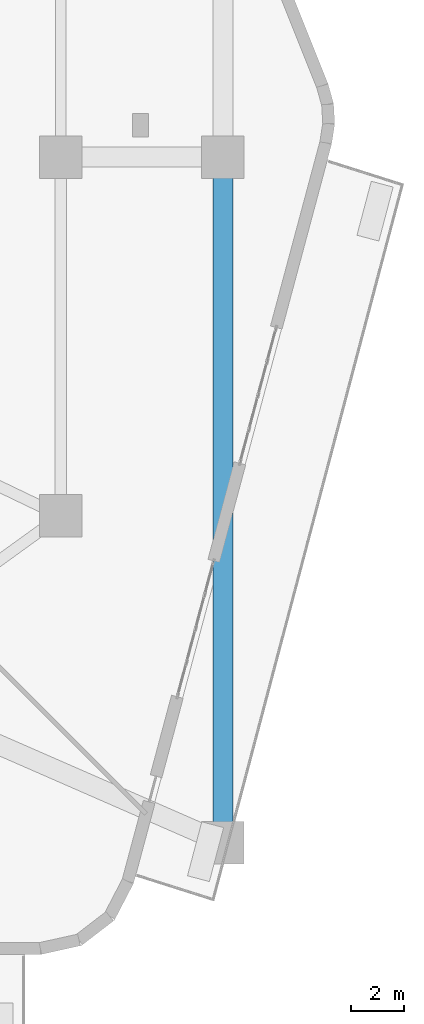
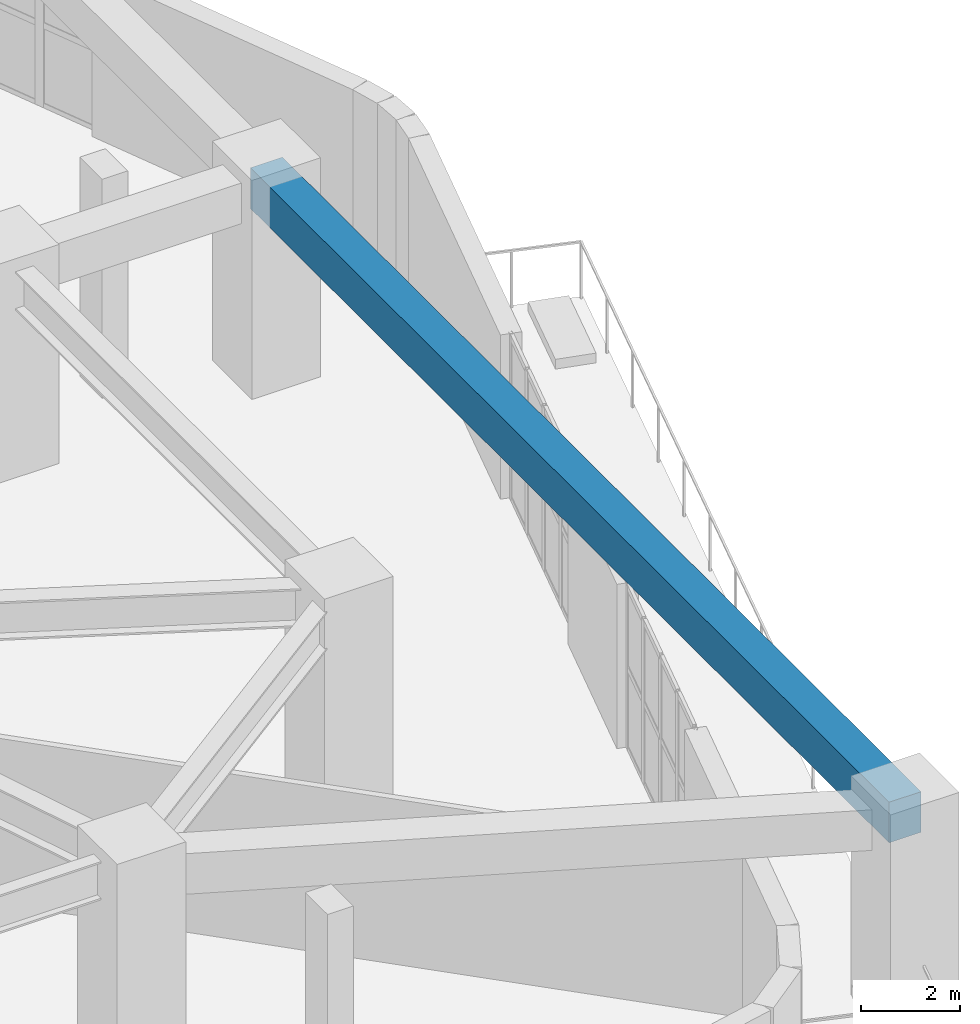
# One storey, part 11 of 34: 1 beam.
"""IFC4 building model written with IfcOpenShell, lengths in metres."""

import ifcopenshell
import ifcopenshell.guid

model = None  # the IFC model being written
_history = None  # IfcOwnerHistory: only IFC2X3 demands one
_inside = {}  # id of a spatial element -> (the spatial element, [elements in it])
_under = {}  # id of a project, library or spatial element -> (it, [spatial elements below it])
_declared = {}  # id of a project -> (the project, [libraries it declares])
_typed = {}  # id of a type object -> (the type object, [elements of that type])
_made_of = {}  # id of a material, layer set ... -> (it, [elements and type objects made of it])


def new_model(schema):
    """Start an empty IFC model of exactly this schema.

    Asked for "IFC4X3", IfcOpenShell would pick the latest addendum, in which some entities
    have other attributes; the version numbers below select the first issue.
    IFC2X3 requires an IfcOwnerHistory on every rooted entity: one is made here for all.
    """
    global model, _history
    if schema == "IFC4X3":
        model = ifcopenshell.file(schema_version=(4, 3, 0, 0))
    else:
        model = ifcopenshell.file(schema=schema)
    _inside.clear()
    _under.clear()
    _declared.clear()
    _typed.clear()
    _made_of.clear()
    _history = None
    if model.schema == "IFC2X3":
        org = make("IfcOrganization", Name="unknown")
        user = make(
            "IfcPersonAndOrganization",
            ThePerson=make("IfcPerson", FamilyName="unknown"),
            TheOrganization=org,
        )
        app = make(
            "IfcApplication",
            ApplicationDeveloper=org,
            Version="unknown",
            ApplicationFullName="unknown",
            ApplicationIdentifier="unknown",
        )
        _history = make(
            "IfcOwnerHistory",
            OwningUser=user,
            OwningApplication=app,
            ChangeAction="ADDED",
            CreationDate=0,
        )
    return model


def make(cls, **values):
    """One entity of the class cls with the attributes given. An attribute that is None is left unset."""
    return model.create_entity(
        cls, **{name: value for name, value in values.items() if value is not None}
    )


def rooted(cls, **values):
    """An entity with a GlobalId (a new one), such as an element, a storey or a relation."""
    return make(cls, GlobalId=ifcopenshell.guid.new(), OwnerHistory=_history, **values)


def si_unit(unit_type, name, prefix=None):
    """IfcSIUnit, for example si_unit("LENGTHUNIT", "METRE", prefix="MILLI")."""
    return make("IfcSIUnit", UnitType=unit_type, Prefix=prefix, Name=name)


def assignment(units):
    """IfcUnitAssignment: the units of a project."""
    return None if units is None else make("IfcUnitAssignment", Units=units)


def point(xyz):
    """IfcCartesianPoint."""
    return None if xyz is None else make("IfcCartesianPoint", Coordinates=xyz)


def direction(xyz):
    """IfcDirection."""
    return None if xyz is None else make("IfcDirection", DirectionRatios=xyz)


def frame(location, z_axis=None, x_axis=None):
    """IfcAxis2Placement3D, a coordinate frame: its origin and axes. An axis left out is left unset."""
    return make(
        "IfcAxis2Placement3D",
        Location=point(location),
        Axis=direction(z_axis),
        RefDirection=direction(x_axis),
    )


def frame_2d(location, x_axis=None):
    """IfcAxis2Placement2D, a coordinate frame in the plane: its origin and x axis."""
    return make(
        "IfcAxis2Placement2D", Location=point(location), RefDirection=direction(x_axis)
    )


def origin():
    """The frame at (0, 0, 0) with its axes left unset."""
    return frame((0.0, 0.0, 0.0))


def origin_2d():
    """The frame at (0, 0) in the plane with its x axis left unset."""
    return frame_2d((0.0, 0.0))


def place(relative_to, where):
    """IfcLocalPlacement: puts the frame where relative to a parent placement (None: the world)."""
    return make(
        "IfcLocalPlacement", PlacementRelTo=relative_to, RelativePlacement=where
    )


def context(
    kind, dimensions, precision=None, world=None, true_north=None, identifier=None
):
    """IfcGeometricRepresentationContext, for example the 3D "Model" context."""
    return make(
        "IfcGeometricRepresentationContext",
        ContextIdentifier=identifier,
        ContextType=kind,
        CoordinateSpaceDimension=dimensions,
        Precision=precision,
        WorldCoordinateSystem=world,
        TrueNorth=true_north,
    )


def subcontext(parent, identifier, kind, view, scale=None):
    """IfcGeometricRepresentationSubContext, for example "Body" below "Model"."""
    return make(
        "IfcGeometricRepresentationSubContext",
        ContextIdentifier=identifier,
        ContextType=kind,
        ParentContext=parent,
        TargetScale=scale,
        TargetView=view,
    )


def project(units=None, contexts=None):
    """IfcProject with its units and contexts."""
    return rooted(
        "IfcProject",
        Name="project",
        RepresentationContexts=contexts,
        UnitsInContext=assignment(units),
    )


def spatial(cls, under=None, at=None, **own):
    """A site, building, storey or space (cls), placed at a placement, below another one or the project."""
    s = rooted(cls, ObjectPlacement=at, **own)
    if under is not None:
        _under.setdefault(under.id(), (under, []))[1].append(s)
    return s


def profile(cls, at=None, kind="AREA", **sizes):
    """A parametric profile (cls). Its sizes go by their IFC names, for example OverallWidth=200.0."""
    return make(cls, ProfileType=kind, Position=at, **sizes)


def rectangle(**sizes):
    """IfcRectangleProfileDef."""
    return profile("IfcRectangleProfileDef", **sizes)


def extrude(swept, where, along, depth):
    """IfcExtrudedAreaSolid: the profile swept, set in the frame where, extruded along a direction by depth."""
    return make(
        "IfcExtrudedAreaSolid",
        SweptArea=swept,
        Position=where,
        ExtrudedDirection=direction(along),
        Depth=depth,
    )


def shape(context_of_items, identifier, shape_type, items):
    """IfcShapeRepresentation: the items that make up one representation, for example the "Body"."""
    return make(
        "IfcShapeRepresentation",
        ContextOfItems=context_of_items,
        RepresentationIdentifier=identifier,
        RepresentationType=shape_type,
        Items=items,
    )


def material(Name=None, Category=None):
    """IfcMaterial."""
    return make("IfcMaterial", Name=Name, Category=Category)


def material_profile(
    of_material, cross_section, Name=None, Category=None, Priority=None
):
    """IfcMaterialProfile: a cross section and its material."""
    return make(
        "IfcMaterialProfile",
        Name=Name,
        Material=of_material,
        Profile=cross_section,
        Priority=Priority,
        Category=Category,
    )


def profile_set(profiles, Name=None, composite=None):
    """IfcMaterialProfileSet."""
    return make(
        "IfcMaterialProfileSet",
        Name=Name,
        MaterialProfiles=profiles,
        CompositeProfile=composite,
    )


def made_of(thing, what):
    """Note that an element or type object is made of a material, layer set ...; save() writes the relation."""
    if what is not None:
        _made_of.setdefault(what.id(), (what, []))[1].append(thing)
    return thing


def type_object(cls, material=None, **own):
    """A type object (cls), such as IfcWallType, which elements share."""
    return made_of(rooted(cls, **own), material)


def element(
    cls,
    number,
    at=None,
    inside=None,
    cuts=None,
    type_object=None,
    material=None,
    context=None,
    identifier="Body",
    shape_type=None,
    held_by="IfcProductDefinitionShape",
    body=None,
    shapes=None,
    **own,
):
    """One element of the class cls, such as IfcWall. Its Tag is "e" and its number.

    at: its placement. inside: the storey or other place that contains it. cuts: it is an
    opening in that element (IfcRelVoidsElement). A single representation is given by context,
    identifier, shape_type and body (its items); several are given by shapes. held_by: the class
    of the entity that holds the representations. save() writes the other relations.
    """
    e = rooted(cls, Tag="e%d" % number, ObjectPlacement=at, **own)
    if body is not None:
        shapes = [shape(context, identifier, shape_type, body)]
    if shapes is not None:
        e.Representation = make(held_by, Representations=shapes)
    if inside is not None:
        _inside.setdefault(inside.id(), (inside, []))[1].append(e)
    if cuts is not None:
        rooted(
            "IfcRelVoidsElement", RelatingBuildingElement=cuts, RelatedOpeningElement=e
        )
    if type_object is not None:
        _typed.setdefault(type_object.id(), (type_object, []))[1].append(e)
    return made_of(e, material)


def aggregate(whole, parts):
    """IfcRelAggregates: a whole, such as a stair, and the parts it consists of."""
    return rooted("IfcRelAggregates", RelatingObject=whole, RelatedObjects=parts)


def save(model, path):
    """Write the relations noted so far, then the file.

    IfcRelAggregates (storeys below a building ...), IfcRelContainedInSpatialStructure (elements
    in a storey), IfcRelDefinesByType, IfcRelAssociatesMaterial and IfcRelDeclares: one each for
    every whole, place, type object, material and project.
    """
    for whole, parts in _under.values():
        aggregate(whole, parts)
    for where, things in _inside.values():
        rooted(
            "IfcRelContainedInSpatialStructure",
            RelatedElements=things,
            RelatingStructure=where,
        )
    for kind, things in _typed.values():
        rooted("IfcRelDefinesByType", RelatedObjects=things, RelatingType=kind)
    for what, things in _made_of.values():
        rooted("IfcRelAssociatesMaterial", RelatedObjects=things, RelatingMaterial=what)
    for by, libraries in _declared.values():
        rooted("IfcRelDeclares", RelatingContext=by, RelatedDefinitions=libraries)
    model.write(path)


model = new_model("IFC4")

# Units and contexts
model_context = context("Model", 3, precision=1e-05, world=origin(), true_north=direction((0.0, 1.0)))
body_context = subcontext(model_context, "Body", "Model", "MODEL_VIEW")
ifc_project = project(units=[si_unit("LENGTHUNIT", "METRE"), si_unit("AREAUNIT", "SQUARE_METRE"), si_unit("VOLUMEUNIT", "CUBIC_METRE"), si_unit("PLANEANGLEUNIT", "RADIAN"), si_unit("MASSUNIT", "GRAM", prefix="KILO")], contexts=[model_context])

# Site, building, storey
site_placement = place(None, origin())
site = spatial("IfcSite", under=ifc_project, at=site_placement, CompositionType="ELEMENT")
building_placement = place(site_placement, origin())
building = spatial("IfcBuilding", under=site, at=building_placement, Name="Kilnhurst Terrace Hotel", CompositionType="ELEMENT")
storey_placement = place(building_placement, frame((0.0, 0.0, 6.0)))
storey = spatial("IfcBuildingStorey", under=building, at=storey_placement, Name="L01", CompositionType="ELEMENT", Elevation=6.0)

# Beam
ifc_material = material(Name="Concrete C50/60", Category="concrete")
ifc_material_profile = material_profile(ifc_material, rectangle(XDim=0.75, YDim=1.0, at=origin_2d()), Name="RC750X1000")
ifc_profile_set = profile_set([ifc_material_profile], Name="Concrete C50/60")
beam_type = type_object("IfcBeamType", Name="TBM-GAR-750X1000", PredefinedType="T_BEAM", material=ifc_profile_set)
beam_placement = place(storey_placement, frame((27.60009765625, -25.800048828125, 4.580078125), z_axis=(0.0, 1.0, 0.0), x_axis=(-1.0, 0.0, 0.0)))
element("IfcBeam", 1, at=beam_placement, inside=storey, type_object=beam_type, Name="L01 Outer Ring Tee Beam 4", PredefinedType="T_BEAM", context=body_context, shape_type="SweptSolid", body=[
    extrude(rectangle(XDim=0.75, YDim=1.0, at=origin_2d()), origin(), (0.0, 0.0, 1.0), 25.800048828125),
])

save(model, "model.ifc")
